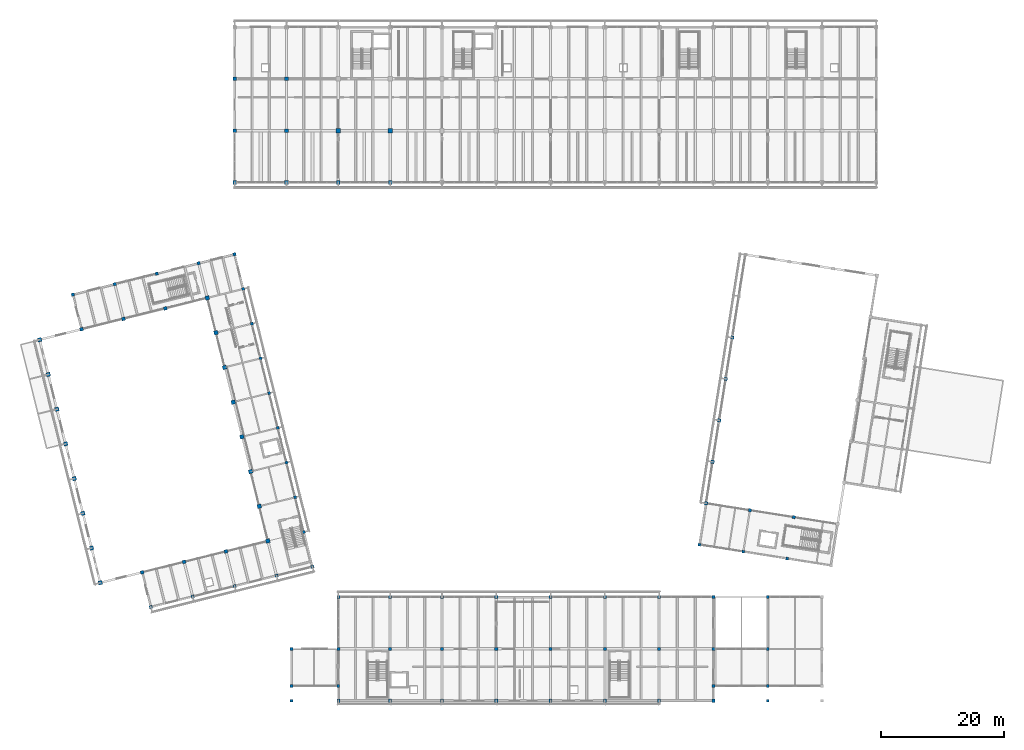
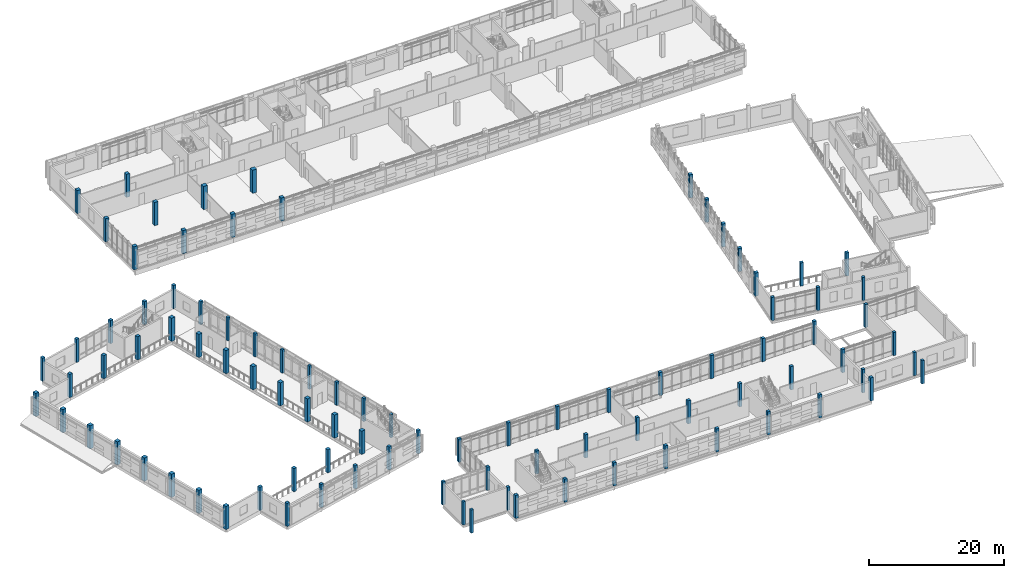
# One storey, part 1 of 137: 93 columns.
"""IFC4 building model written with IfcOpenShell, lengths in metres."""

from ifc_helpers import new_model, si_unit, direction, frame, origin, origin_2d, place, context, subcontext, project, spatial, rectangle, extrude, material, material_profile, profile_set, type_object, element, save


model = new_model("IFC4")

# Units and contexts
model_context = context("Model", 3, precision=1e-05, world=origin(), true_north=direction((0.0, 1.0)))
body_context = subcontext(model_context, "Body", "Model", "MODEL_VIEW")
ifc_project = project(units=[si_unit("LENGTHUNIT", "METRE"), si_unit("AREAUNIT", "SQUARE_METRE"), si_unit("VOLUMEUNIT", "CUBIC_METRE"), si_unit("PLANEANGLEUNIT", "RADIAN"), si_unit("MASSUNIT", "GRAM", prefix="KILO")], contexts=[model_context])

# Site, building, storey
site_placement = place(None, origin())
site = spatial("IfcSite", under=ifc_project, at=site_placement, CompositionType="ELEMENT")
building_placement = place(site_placement, origin())
building = spatial("IfcBuilding", under=site, at=building_placement, Name="Cinderway Yard Community Centre", CompositionType="ELEMENT")
storey_placement = place(building_placement, frame((0.0, 0.0, 4.800048828125)))
storey = spatial("IfcBuildingStorey", under=building, at=storey_placement, Name="L01", CompositionType="ELEMENT", Elevation=4.800048828125)

# Columns
ifc_material = material(Name="Concrete C40/50", Category="concrete")
ifc_material_profile_1 = material_profile(ifc_material, rectangle(XDim=0.449951171875, YDim=0.449951171875, at=origin_2d()), Name="Concrete C40/50")
ifc_profile_set_1 = profile_set([ifc_material_profile_1], Name="Concrete C40/50")
column_type_1 = type_object("IfcColumnType", Name="STR-COL-RC450", PredefinedType="COLUMN", material=ifc_profile_set_1)
for number, where, z_axis, x_axis, name in (
    (1, (52.799072265625, 33.342041015625, 0.0), (0.0, 0.0, 1.0), (0.970295726276, 0.2419218956, 0.0), "Column V1-C-G01 L01"),
    (2, (51.39599609375, 38.969970703125, 0.0), (0.0, 0.0, 1.0), (0.970295726276, 0.2419218956, 0.0), "Column V1-C-G02 L01"),
    (3, (49.992919921875, 44.597900390625, 0.0), (0.0, 0.0, 1.0), (0.970295726276, 0.2419218956, 0.0), "Column V1-C-G03 L01"),
    (4, (48.590087890625, 50.22509765625, 0.0), (0.0, 0.0, 1.0), (0.970295726276, 0.2419218956, 0.0), "Column V1-C-G04 L01"),
    (5, (47.18701171875, 55.85302734375, 0.0), (0.0, 0.0, 1.0), (0.970295726276, 0.2419218956, 0.0), "Column V1-C-G05 L01"),
    (6, (45.783935546875, 61.48095703125, 0.0), (0.0, 0.0, 1.0), (0.970295726276, 0.2419218956, 0.0), "Column V1-C-G06 L01"),
    (7, (44.381103515625, 67.10791015625, 0.0), (0.0, 0.0, 1.0), (0.970295726276, 0.2419218956, 0.0), "Column V1-C-G07 L01"),
    (8, (42.97705078125, 72.736083984375, 0.0), (0.0, 0.0, 1.0), (0.970295726276, 0.2419218956, 0.0), "Column V1-C-G08 L01"),
    (9, (116.93603515625, 31.283935546875, 0.0), (0.0, 0.0, 1.0), (0.987688340595, -0.15643446504, 0.0), "Column V2-CS-000 L01"),
    (10, (124.048095703125, 30.156982421875, 0.0), (0.0, 0.0, 1.0), (0.987688340595, -0.15643446504, 0.0), "Column V2-CS-072 L01"),
    (11, (131.158935546875, 29.031005859375, 0.0), (0.0, 0.0, 1.0), (0.987688340595, -0.15643446504, 0.0), "Column V2-CS-144 L01"),
    (12, (50.800048828125, 6.0, 0.0), (0.0, 0.0, 1.0), (1.0, 0.0, 0.0), "Column V5-C-01 L01"),
    (13, (50.800048828125, 8.39990234375, 0.0), (0.0, 0.0, 1.0), (1.0, 0.0, 0.0), "Column V5-C-02 L01"),
    (14, (50.800048828125, 14.39990234375, 0.0), (0.0, 0.0, 1.0), (1.0, 0.0, 0.0), "Column V5-C-03 L01"),
    (15, (58.39990234375, 8.39990234375, 0.0), (0.0, 0.0, 1.0), (1.0, 0.0, 0.0), "Column V5-C-04 L01"),
    (16, (128.0, 6.0, 0.0), (0.0, 0.0, 1.0), (1.0, 0.0, 0.0), "Column V5-C-05 L01"),
    (17, (128.0, 8.39990234375, 0.0), (0.0, 0.0, 1.0), (1.0, 0.0, 0.0), "Column V5-C-06 L01"),
    (18, (128.0, 14.39990234375, 0.0), (0.0, 0.0, 1.0), (1.0, 0.0, 0.0), "Column V5-C-07 L01"),
    (19, (128.0, 22.800048828125, 0.0), (0.0, 0.0, 1.0), (1.0, 0.0, 0.0), "Column V5-C-08 L01"),
    (20, (119.199951171875, 8.39990234375, 0.0), (0.0, 0.0, 1.0), (1.0, 0.0, 0.0), "Column V5-C-13 L01"),
):
    element("IfcColumn", number, at=place(storey_placement, frame(where, z_axis=z_axis, x_axis=x_axis)), inside=storey, type_object=column_type_1, Name=name, PredefinedType="COLUMN", context=body_context, shape_type="SweptSolid", body=[
        extrude(rectangle(XDim=0.449951171875, YDim=0.449951171875, at=origin_2d()), origin(), (0.0, 0.0, 1.0), 4.199951171875),
    ])
ifc_material_profile_2 = material_profile(ifc_material, rectangle(XDim=0.5, YDim=0.5, at=origin_2d()), Name="Concrete C40/50")
ifc_profile_set_2 = profile_set([ifc_material_profile_2], Name="Concrete C40/50")
column_type_2 = type_object("IfcColumnType", Name="STR-COL-RC500", PredefinedType="COLUMN", material=ifc_profile_set_2)
for number, where, z_axis, x_axis, name in (
    (21, (28.0048828125, 21.18310546875, 0.0), (0.0, 0.0, 1.0), (0.970295726276, 0.2419218956, 0.0), "Column V1-CS-07 L01"),
    (22, (34.797119140625, 22.8759765625, 0.0), (0.0, 0.0, 1.0), (0.970295726276, 0.2419218956, 0.0), "Column V1-CS-14 L01"),
    (23, (41.589111328125, 24.569091796875, 0.0), (0.0, 0.0, 1.0), (0.970295726276, 0.2419218956, 0.0), "Column V1-CS-21 L01"),
    (24, (48.381103515625, 26.262939453125, 0.0), (0.0, 0.0, 1.0), (0.970295726276, 0.2419218956, 0.0), "Column V1-CS-28 L01"),
    (25, (54.202880859375, 27.714111328125, 0.0), (0.0, 0.0, 1.0), (0.970295726276, 0.2419218956, 0.0), "Column V1-CS-34 L01"),
    (26, (15.3759765625, 71.83203125, 0.0), (0.0, 0.0, 1.0), (0.970295726276, 0.2419218956, 0.0), "Column V1-CN-07 L01"),
    (27, (22.16796875, 73.52490234375, 0.0), (0.0, 0.0, 1.0), (0.970295726276, 0.2419218956, 0.0), "Column V1-CN-14 L01"),
    (28, (28.9599609375, 75.218994140625, 0.0), (0.0, 0.0, 1.0), (0.970295726276, 0.2419218956, 0.0), "Column V1-CN-21 L01"),
    (29, (35.7529296875, 76.912109375, 0.0), (0.0, 0.0, 1.0), (0.970295726276, 0.2419218956, 0.0), "Column V1-CN-28 L01"),
    (30, (41.573974609375, 78.364013671875, 0.0), (0.0, 0.0, 1.0), (0.970295726276, 0.2419218956, 0.0), "Column V1-CN-34 L01"),
    (31, (125.111083984375, 36.8740234375, 0.0), (0.0, 0.0, 1.0), (0.987688340595, -0.15643446504, 0.0), "Column V2-GS-072 L01"),
    (32, (132.222900390625, 35.7470703125, 0.0), (0.0, 0.0, 1.0), (0.987688340595, -0.15643446504, 0.0), "Column V2-GS-144 L01"),
    (33, (58.39990234375, 6.0, 0.0), (0.0, 0.0, 1.0), (1.0, 0.0, 0.0), "Column V3-C-01-1 L01"),
    (34, (58.39990234375, 14.39990234375, 0.0), (0.0, 0.0, 1.0), (1.0, 0.0, 0.0), "Column V3-C-01-2 L01"),
    (35, (58.39990234375, 22.800048828125, 0.0), (0.0, 0.0, 1.0), (1.0, 0.0, 0.0), "Column V3-C-01-3 L01"),
    (36, (66.800048828125, 6.0, 0.0), (0.0, 0.0, 1.0), (1.0, 0.0, 0.0), "Column V3-C-02-1 L01"),
    (37, (66.800048828125, 14.39990234375, 0.0), (0.0, 0.0, 1.0), (1.0, 0.0, 0.0), "Column V3-C-02-2 L01"),
    (38, (66.800048828125, 22.800048828125, 0.0), (0.0, 0.0, 1.0), (1.0, 0.0, 0.0), "Column V3-C-02-3 L01"),
    (39, (75.199951171875, 6.0, 0.0), (0.0, 0.0, 1.0), (1.0, 0.0, 0.0), "Column V3-C-03-1 L01"),
    (40, (75.199951171875, 14.39990234375, 0.0), (0.0, 0.0, 1.0), (1.0, 0.0, 0.0), "Column V3-C-03-2 L01"),
    (41, (75.199951171875, 22.800048828125, 0.0), (0.0, 0.0, 1.0), (1.0, 0.0, 0.0), "Column V3-C-03-3 L01"),
    (42, (84.0, 6.0, 0.0), (0.0, 0.0, 1.0), (1.0, 0.0, 0.0), "Column V3-C-04-1 L01"),
    (43, (84.0, 14.39990234375, 0.0), (0.0, 0.0, 1.0), (1.0, 0.0, 0.0), "Column V3-C-04-2 L01"),
    (44, (84.0, 22.800048828125, 0.0), (0.0, 0.0, 1.0), (1.0, 0.0, 0.0), "Column V3-C-04-3 L01"),
    (45, (92.800048828125, 6.0, 0.0), (0.0, 0.0, 1.0), (1.0, 0.0, 0.0), "Column V3-C-05-1 L01"),
    (46, (92.800048828125, 14.39990234375, 0.0), (0.0, 0.0, 1.0), (1.0, 0.0, 0.0), "Column V3-C-05-2 L01"),
    (47, (92.800048828125, 22.800048828125, 0.0), (0.0, 0.0, 1.0), (1.0, 0.0, 0.0), "Column V3-C-05-3 L01"),
    (48, (101.60009765625, 6.0, 0.0), (0.0, 0.0, 1.0), (1.0, 0.0, 0.0), "Column V3-C-06-1 L01"),
    (49, (101.60009765625, 14.39990234375, 0.0), (0.0, 0.0, 1.0), (1.0, 0.0, 0.0), "Column V3-C-06-2 L01"),
    (50, (101.60009765625, 22.800048828125, 0.0), (0.0, 0.0, 1.0), (1.0, 0.0, 0.0), "Column V3-C-06-3 L01"),
    (51, (110.39990234375, 6.0, 0.0), (0.0, 0.0, 1.0), (1.0, 0.0, 0.0), "Column V3-C-07-1 L01"),
    (52, (110.39990234375, 14.39990234375, 0.0), (0.0, 0.0, 1.0), (1.0, 0.0, 0.0), "Column V3-C-07-2 L01"),
    (53, (110.39990234375, 22.800048828125, 0.0), (0.0, 0.0, 1.0), (1.0, 0.0, 0.0), "Column V3-C-07-3 L01"),
    (54, (119.199951171875, 6.0, 0.0), (0.0, 0.0, 1.0), (1.0, 0.0, 0.0), "Column V3-C-08-1 L01"),
    (55, (119.199951171875, 14.39990234375, 0.0), (0.0, 0.0, 1.0), (1.0, 0.0, 0.0), "Column V3-C-08-2 L01"),
    (56, (119.199951171875, 22.800048828125, 0.0), (0.0, 0.0, 1.0), (1.0, 0.0, 0.0), "Column V3-C-08-3 L01"),
):
    element("IfcColumn", number, at=place(storey_placement, frame(where, z_axis=z_axis, x_axis=x_axis)), inside=storey, type_object=column_type_2, Name=name, PredefinedType="COLUMN", context=body_context, shape_type="SweptSolid", body=[
        extrude(rectangle(XDim=0.5, YDim=0.5, at=origin_2d()), origin(), (0.0, 0.0, 1.0), 4.199951171875),
    ])
ifc_material_profile_3 = material_profile(ifc_material, rectangle(XDim=0.550048828125, YDim=0.550048828125, at=origin_2d()), Name="Concrete C40/50")
ifc_profile_set_3 = profile_set([ifc_material_profile_3], Name="Concrete C40/50")
column_type_3 = type_object("IfcColumnType", Name="STR-COL-RC550", PredefinedType="COLUMN", material=ifc_profile_set_3)
for number, where, z_axis, x_axis, name in (
    (57, (26.60205078125, 26.81005859375, 0.0), (0.0, 0.0, 1.0), (0.970295726276, 0.2419218956, 0.0), "Column V1-GS-07 L01"),
    (58, (33.39404296875, 28.50390625, 0.0), (0.0, 0.0, 1.0), (0.970295726276, 0.2419218956, 0.0), "Column V1-GS-14 L01"),
    (59, (40.18603515625, 30.197021484375, 0.0), (0.0, 0.0, 1.0), (0.970295726276, 0.2419218956, 0.0), "Column V1-GS-21 L01"),
    (60, (16.779052734375, 66.2041015625, 0.0), (0.0, 0.0, 1.0), (0.970295726276, 0.2419218956, 0.0), "Column V1-GN-07 L01"),
    (61, (23.572021484375, 67.89794921875, 0.0), (0.0, 0.0, 1.0), (0.970295726276, 0.2419218956, 0.0), "Column V1-GN-14 L01"),
    (62, (30.364013671875, 69.591064453125, 0.0), (0.0, 0.0, 1.0), (0.970295726276, 0.2419218956, 0.0), "Column V1-GN-21 L01"),
    (63, (118.0, 38.0, 0.0), (0.0, 0.0, 1.0), (0.987688340595, -0.15643446504, 0.0), "Column V2-C-W01 L01"),
    (64, (119.06396484375, 44.716064453125, 0.0), (0.0, 0.0, 1.0), (0.987688340595, -0.15643446504, 0.0), "Column V2-C-W02 L01"),
    (65, (120.1279296875, 51.43310546875, 0.0), (0.0, 0.0, 1.0), (0.987688340595, -0.15643446504, 0.0), "Column V2-C-W03 L01"),
    (66, (121.19091796875, 58.14892578125, 0.0), (0.0, 0.0, 1.0), (0.987688340595, -0.15643446504, 0.0), "Column V2-C-W04 L01"),
    (67, (122.2548828125, 64.864990234375, 0.0), (0.0, 0.0, 1.0), (0.987688340595, -0.15643446504, 0.0), "Column V2-C-W05 L01"),
):
    element("IfcColumn", number, at=place(storey_placement, frame(where, z_axis=z_axis, x_axis=x_axis)), inside=storey, type_object=column_type_3, Name=name, PredefinedType="COLUMN", context=body_context, shape_type="SweptSolid", body=[
        extrude(rectangle(XDim=0.550048828125, YDim=0.550048828125, at=origin_2d()), origin(), (0.0, 0.0, 1.0), 4.199951171875),
    ])
ifc_material_profile_4 = material_profile(ifc_material, rectangle(XDim=0.60009765625, YDim=0.60009765625, at=origin_2d()), Name="Concrete C40/50")
ifc_profile_set_4 = profile_set([ifc_material_profile_4], Name="Concrete C40/50")
column_type_4 = type_object("IfcColumnType", Name="STR-COL-RC600", PredefinedType="COLUMN", material=ifc_profile_set_4)
for number, where, z_axis, x_axis, name in (
    (68, (41.60009765625, 90.0, 0.0), (0.0, 0.0, 1.0), (1.0, 0.0, 0.0), "Column V4-C-01-1 L01"),
    (69, (41.60009765625, 98.39990234375, 0.0), (0.0, 0.0, 1.0), (1.0, 0.0, 0.0), "Column V4-C-01-2 L01"),
    (70, (41.60009765625, 106.800048828125, 0.0), (0.0, 0.0, 1.0), (1.0, 0.0, 0.0), "Column V4-C-01-3 L01"),
    (71, (50.0, 90.0, 0.0), (0.0, 0.0, 1.0), (1.0, 0.0, 0.0), "Column V4-C-02-1 L01"),
    (72, (50.0, 98.39990234375, 0.0), (0.0, 0.0, 1.0), (1.0, 0.0, 0.0), "Column V4-C-02-2 L01"),
    (73, (50.0, 106.800048828125, 0.0), (0.0, 0.0, 1.0), (1.0, 0.0, 0.0), "Column V4-C-02-3 L01"),
    (74, (58.39990234375, 90.0, 0.0), (0.0, 0.0, 1.0), (1.0, 0.0, 0.0), "Column V4-C-03-1 L01"),
    (75, (66.800048828125, 90.0, 0.0), (0.0, 0.0, 1.0), (1.0, 0.0, 0.0), "Column V4-C-04-1 L01"),
):
    element("IfcColumn", number, at=place(storey_placement, frame(where, z_axis=z_axis, x_axis=x_axis)), inside=storey, type_object=column_type_4, Name=name, PredefinedType="COLUMN", context=body_context, shape_type="SweptSolid", body=[
        extrude(rectangle(XDim=0.60009765625, YDim=0.60009765625, at=origin_2d()), origin(), (0.0, 0.0, 1.0), 4.199951171875),
    ])
ifc_material_profile_5 = material_profile(ifc_material, rectangle(XDim=0.64990234375, YDim=0.64990234375, at=origin_2d()), Name="Concrete C40/50")
ifc_profile_set_5 = profile_set([ifc_material_profile_5], Name="Concrete C40/50")
column_type_5 = type_object("IfcColumnType", Name="STR-COL-RC650", PredefinedType="COLUMN", material=ifc_profile_set_5)
for number, where, z_axis, x_axis, name in (
    (76, (19.80908203125, 25.116943359375, 0.0), (0.0, 0.0, 1.0), (0.970295726276, 0.2419218956, 0.0), "Column V1-C-W01 L01"),
    (77, (18.406005859375, 30.7451171875, 0.0), (0.0, 0.0, 1.0), (0.970295726276, 0.2419218956, 0.0), "Column V1-C-W02 L01"),
    (78, (17.0029296875, 36.3720703125, 0.0), (0.0, 0.0, 1.0), (0.970295726276, 0.2419218956, 0.0), "Column V1-C-W03 L01"),
    (79, (15.60009765625, 42.0, 0.0), (0.0, 0.0, 1.0), (0.970295726276, 0.2419218956, 0.0), "Column V1-C-W04 L01"),
    (80, (14.197021484375, 47.6279296875, 0.0), (0.0, 0.0, 1.0), (0.970295726276, 0.2419218956, 0.0), "Column V1-C-W05 L01"),
    (81, (12.7939453125, 53.2548828125, 0.0), (0.0, 0.0, 1.0), (0.970295726276, 0.2419218956, 0.0), "Column V1-C-W06 L01"),
    (82, (11.39111328125, 58.883056640625, 0.0), (0.0, 0.0, 1.0), (0.970295726276, 0.2419218956, 0.0), "Column V1-C-W07 L01"),
    (83, (9.987060546875, 64.510986328125, 0.0), (0.0, 0.0, 1.0), (0.970295726276, 0.2419218956, 0.0), "Column V1-C-W08 L01"),
    (84, (46.97802734375, 31.89111328125, 0.0), (0.0, 0.0, 1.0), (0.970295726276, 0.2419218956, 0.0), "Column V1-C-E01 L01"),
    (85, (45.574951171875, 37.51806640625, 0.0), (0.0, 0.0, 1.0), (0.970295726276, 0.2419218956, 0.0), "Column V1-C-E02 L01"),
    (86, (44.1708984375, 43.14599609375, 0.0), (0.0, 0.0, 1.0), (0.970295726276, 0.2419218956, 0.0), "Column V1-C-E03 L01"),
    (87, (42.76806640625, 48.77392578125, 0.0), (0.0, 0.0, 1.0), (0.970295726276, 0.2419218956, 0.0), "Column V1-C-E04 L01"),
    (88, (41.364990234375, 54.402099609375, 0.0), (0.0, 0.0, 1.0), (0.970295726276, 0.2419218956, 0.0), "Column V1-C-E05 L01"),
    (89, (39.9619140625, 60.029052734375, 0.0), (0.0, 0.0, 1.0), (0.970295726276, 0.2419218956, 0.0), "Column V1-C-E06 L01"),
    (90, (38.55908203125, 65.656982421875, 0.0), (0.0, 0.0, 1.0), (0.970295726276, 0.2419218956, 0.0), "Column V1-C-E07 L01"),
    (91, (37.156005859375, 71.284912109375, 0.0), (0.0, 0.0, 1.0), (0.970295726276, 0.2419218956, 0.0), "Column V1-C-E08 L01"),
):
    element("IfcColumn", number, at=place(storey_placement, frame(where, z_axis=z_axis, x_axis=x_axis)), inside=storey, type_object=column_type_5, Name=name, PredefinedType="COLUMN", context=body_context, shape_type="SweptSolid", body=[
        extrude(rectangle(XDim=0.64990234375, YDim=0.64990234375, at=origin_2d()), origin(), (0.0, 0.0, 1.0), 4.199951171875),
    ])
ifc_material_profile_6 = material_profile(ifc_material, rectangle(XDim=0.699951171875, YDim=0.699951171875, at=origin_2d()), Name="Concrete C40/50")
ifc_profile_set_6 = profile_set([ifc_material_profile_6], Name="Concrete C40/50")
column_type_6 = type_object("IfcColumnType", Name="STR-COL-RC700", PredefinedType="COLUMN", material=ifc_profile_set_6)
for number, where, z_axis, x_axis, name in (
    (92, (58.39990234375, 98.39990234375, 0.0), (0.0, 0.0, 1.0), (1.0, 0.0, 0.0), "Column V4-C-03-2 L01"),
    (93, (66.800048828125, 98.39990234375, 0.0), (0.0, 0.0, 1.0), (1.0, 0.0, 0.0), "Column V4-C-04-2 L01"),
):
    element("IfcColumn", number, at=place(storey_placement, frame(where, z_axis=z_axis, x_axis=x_axis)), inside=storey, type_object=column_type_6, Name=name, PredefinedType="COLUMN", context=body_context, shape_type="SweptSolid", body=[
        extrude(rectangle(XDim=0.699951171875, YDim=0.699951171875, at=origin_2d()), origin(), (0.0, 0.0, 1.0), 4.199951171875),
    ])

save(model, "model.ifc")
